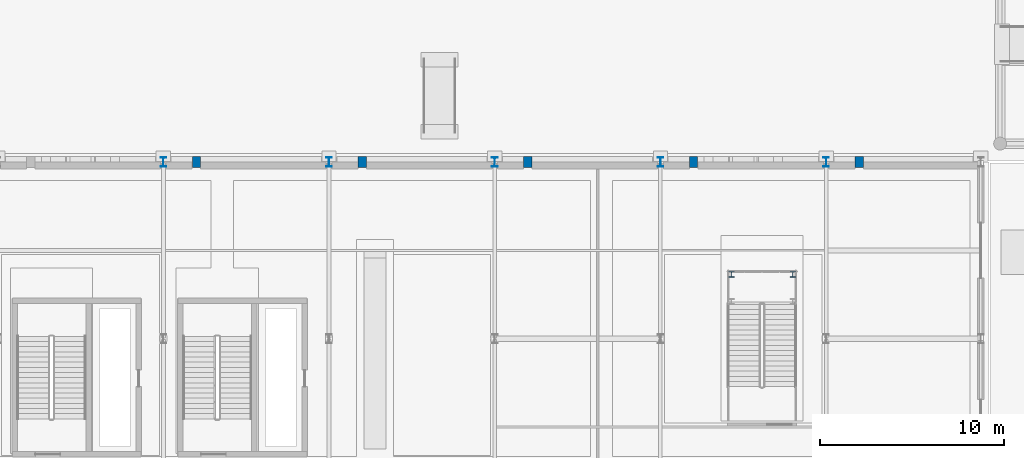
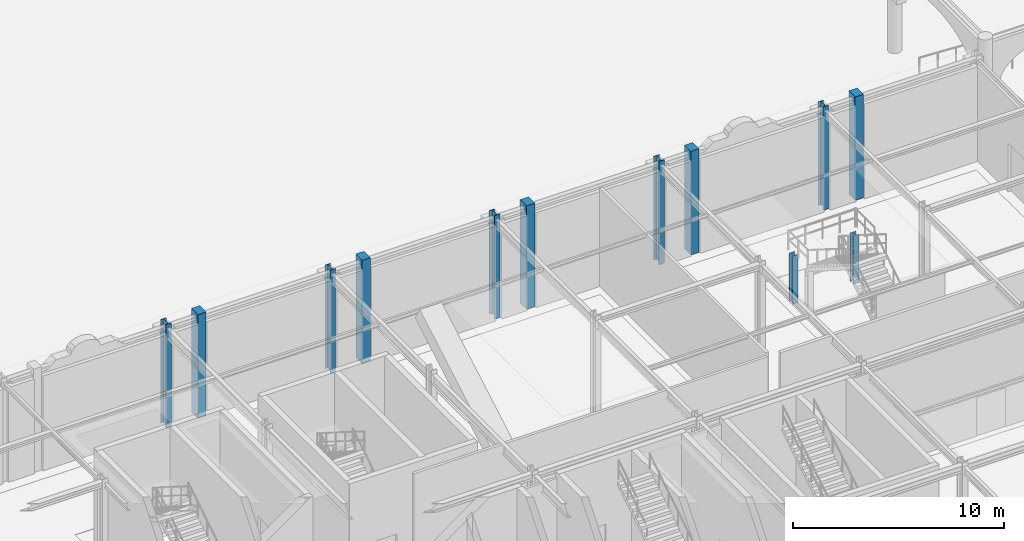
# One storey, part 20 of 113: 12 columns.
"""IFC4 building model written with IfcOpenShell, lengths in metres."""

from ifc_helpers import new_model, si_unit, direction, frame, origin, origin_2d, place, context, subcontext, project, spatial, rectangle, i_section, extrude, material, material_profile, profile_set, type_object, element, save


model = new_model("IFC4")

# Units and contexts
model_context = context("Model", 3, precision=1e-05, world=origin(), true_north=direction((0.0, 1.0)))
body_context = subcontext(model_context, "Body", "Model", "MODEL_VIEW")
ifc_project = project(units=[si_unit("LENGTHUNIT", "METRE"), si_unit("AREAUNIT", "SQUARE_METRE"), si_unit("VOLUMEUNIT", "CUBIC_METRE"), si_unit("PLANEANGLEUNIT", "RADIAN"), si_unit("MASSUNIT", "GRAM", prefix="KILO")], contexts=[model_context])

# Site, building, storey
site_placement = place(None, origin())
site = spatial("IfcSite", under=ifc_project, at=site_placement, CompositionType="ELEMENT")
building_placement = place(site_placement, origin())
building = spatial("IfcBuilding", under=site, at=building_placement, Name="Myrtia Square Station", CompositionType="ELEMENT")
storey_placement = place(building_placement, origin())
storey = spatial("IfcBuildingStorey", under=building, at=storey_placement, Name="L00", CompositionType="ELEMENT", Elevation=0.0)

# Columns
ifc_material_1 = material(Name="Steel S355", Category="steel")
ifc_material_profile_1 = material_profile(ifc_material_1, i_section(OverallWidth=0.300048828125, OverallDepth=0.300048828125, WebThickness=0.010986328125, FlangeThickness=0.01904296875, FilletRadius=0.027099609375, at=origin_2d()), Name="HEB 300")
ifc_profile_set_1 = profile_set([ifc_material_profile_1], Name="Steel S355")
column_type_1 = type_object("IfcColumnType", Name="COL-HEB300", PredefinedType="COLUMN", material=ifc_profile_set_1)
for number, where, z_axis, x_axis, name in (
    (1, (165.85009765625, 32.300048828125, 0.0), (0.0, 0.0, 1.0), (1.0, 0.0, 0.0), "Interchange stair landing post 7-WN"),
    (2, (169.18994140625, 32.300048828125, 0.0), (0.0, 0.0, 1.0), (1.0, 0.0, 0.0), "Interchange stair landing post 7-EN"),
):
    element("IfcColumn", number, at=place(storey_placement, frame(where, z_axis=z_axis, x_axis=x_axis)), inside=storey, type_object=column_type_1, Name=name, PredefinedType="COLUMN", context=body_context, shape_type="SweptSolid", body=[
        extrude(i_section(OverallWidth=0.300048828125, OverallDepth=0.300048828125, WebThickness=0.010986328125, FlangeThickness=0.01904296875, FilletRadius=0.027099609375, at=origin_2d()), origin(), (0.0, 0.0, 1.0), 2.800048828125),
    ])
ifc_material_profile_2 = material_profile(ifc_material_1, i_section(OverallWidth=0.300048828125, OverallDepth=0.5, WebThickness=0.014404296875, FlangeThickness=0.028076171875, FilletRadius=0.027099609375, at=origin_2d()), Name="HEB 500")
ifc_profile_set_2 = profile_set([ifc_material_profile_2], Name="Steel S355")
column_type_2 = type_object("IfcColumnType", Name="COL-HEB500", PredefinedType="COLUMN", material=ifc_profile_set_2)
for number, where, z_axis, x_axis, name in (
    (3, (135.0, 38.39990234375, 0.0), (0.0, 0.0, 1.0), (1.0, 0.0, 0.0), "Column L00-0630"),
    (4, (144.0, 38.39990234375, 0.0), (0.0, 0.0, 1.0), (1.0, 0.0, 0.0), "Column L00-0655"),
    (5, (153.0, 38.39990234375, 0.0), (0.0, 0.0, 1.0), (1.0, 0.0, 0.0), "Column L00-0676"),
    (6, (162.0, 38.39990234375, 0.0), (0.0, 0.0, 1.0), (1.0, 0.0, 0.0), "Column L00-0696"),
    (7, (171.0, 38.39990234375, 0.0), (0.0, 0.0, 1.0), (1.0, 0.0, 0.0), "Column L00-0714"),
):
    element("IfcColumn", number, at=place(storey_placement, frame(where, z_axis=z_axis, x_axis=x_axis)), inside=storey, type_object=column_type_2, Name=name, PredefinedType="COLUMN", context=body_context, shape_type="SweptSolid", body=[
        extrude(i_section(OverallWidth=0.300048828125, OverallDepth=0.5, WebThickness=0.014404296875, FlangeThickness=0.028076171875, FilletRadius=0.027099609375, at=origin_2d()), origin(), (0.0, 0.0, 1.0), 6.0),
    ])
ifc_material_2 = material(Name="Concrete C40/50", Category="concrete")
ifc_material_profile_3 = material_profile(ifc_material_2, rectangle(XDim=0.449951171875, YDim=0.60009765625, at=origin_2d()), Name="PIL 450x600")
ifc_profile_set_3 = profile_set([ifc_material_profile_3], Name="Concrete C40/50")
column_type_3 = type_object("IfcColumnType", Name="PIL-RC450x600", PredefinedType="PILASTER", material=ifc_profile_set_3)
for number, where, z_axis, x_axis, name in (
    (8, (136.800048828125, 38.39990234375, 0.0), (0.0, 0.0, 1.0), (1.0, 0.0, 0.0), "Portales arcade pilaster L00-08"),
    (9, (145.800048828125, 38.39990234375, 0.0), (0.0, 0.0, 1.0), (1.0, 0.0, 0.0), "Portales arcade pilaster L00-09"),
    (10, (154.800048828125, 38.39990234375, 0.0), (0.0, 0.0, 1.0), (1.0, 0.0, 0.0), "Portales arcade pilaster L00-10"),
    (11, (163.800048828125, 38.39990234375, 0.0), (0.0, 0.0, 1.0), (1.0, 0.0, 0.0), "Portales arcade pilaster L00-11"),
    (12, (172.800048828125, 38.39990234375, 0.0), (0.0, 0.0, 1.0), (1.0, 0.0, 0.0), "Portales arcade pilaster L00-12"),
):
    element("IfcColumn", number, at=place(storey_placement, frame(where, z_axis=z_axis, x_axis=x_axis)), inside=storey, type_object=column_type_3, Name=name, PredefinedType="PILASTER", context=body_context, shape_type="SweptSolid", body=[
        extrude(rectangle(XDim=0.449951171875, YDim=0.60009765625, at=origin_2d()), origin(), (0.0, 0.0, 1.0), 6.0),
    ])

save(model, "model.ifc")
